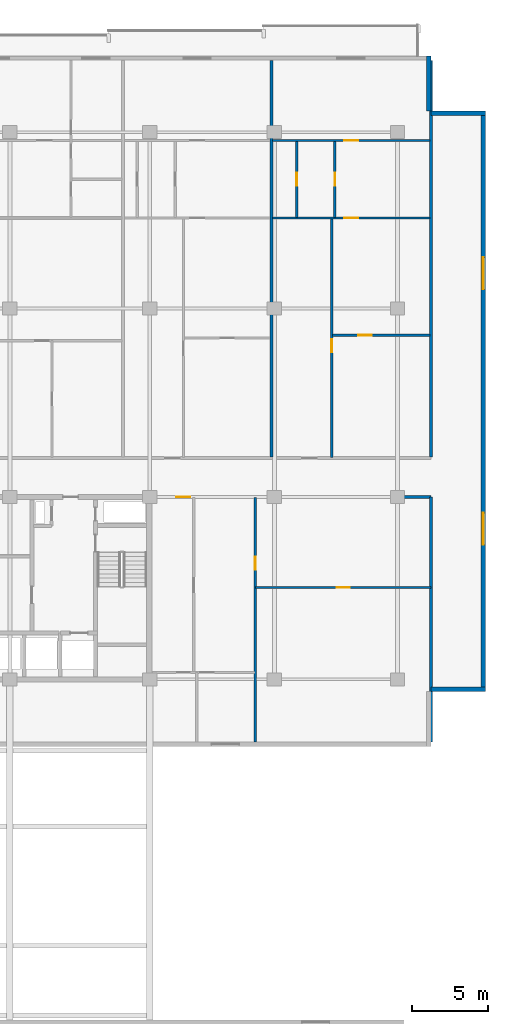
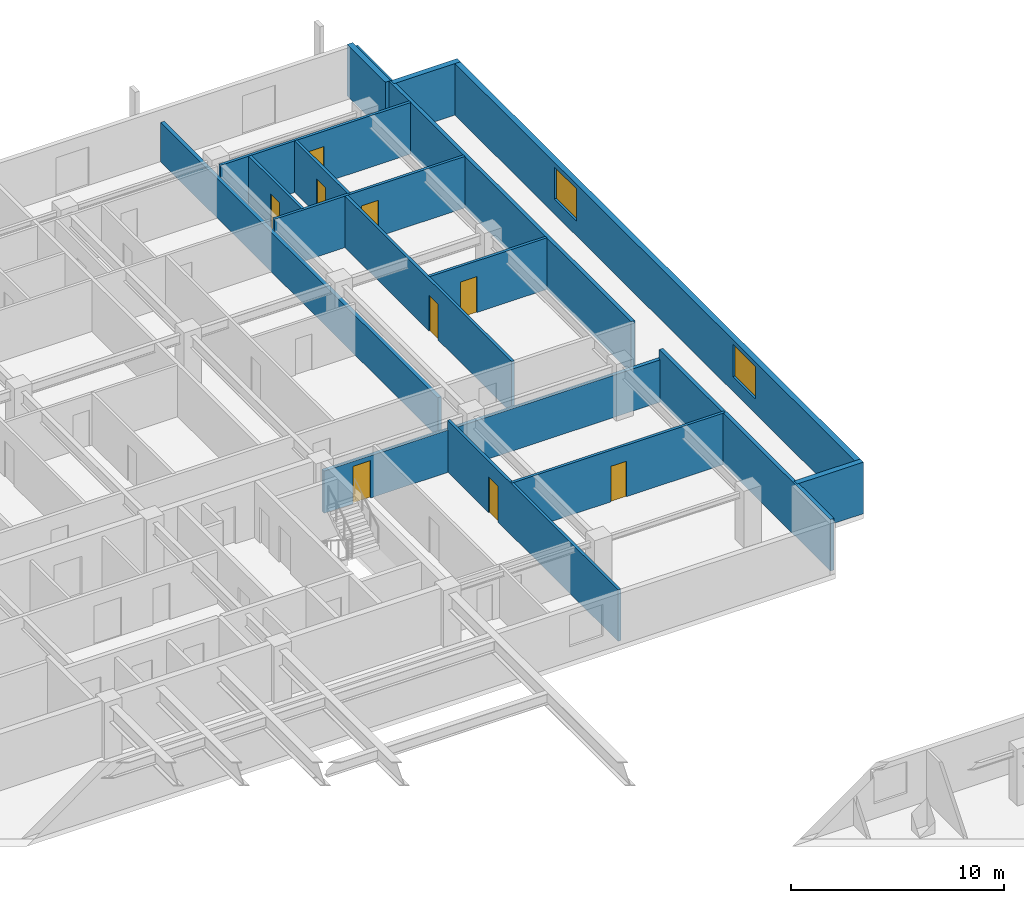
# One storey, part 15 of 21: 16 walls, 9 doors, 2 windows, 11 openings.
"""IFC4 building model written with IfcOpenShell, lengths in metres."""

from ifc_helpers import new_model, si_unit, direction, frame, frame_2d, origin, place, context, subcontext, project, spatial, rectangle, extrude, material, layer, layer_set, type_object, element, fill, save


model = new_model("IFC4")

# Units and contexts
model_context = context("Model", 3, precision=1e-05, world=origin(), true_north=direction((0.0, 1.0)))
body_context = subcontext(model_context, "Body", "Model", "MODEL_VIEW")
ifc_project = project(units=[si_unit("LENGTHUNIT", "METRE"), si_unit("AREAUNIT", "SQUARE_METRE"), si_unit("VOLUMEUNIT", "CUBIC_METRE"), si_unit("PLANEANGLEUNIT", "RADIAN"), si_unit("MASSUNIT", "GRAM", prefix="KILO")], contexts=[model_context])

# Site, building, storey
site_placement = place(None, origin())
site = spatial("IfcSite", under=ifc_project, at=site_placement, CompositionType="ELEMENT")
building_placement = place(site_placement, origin())
building = spatial("IfcBuilding", under=site, at=building_placement, Name="Korimba Cascade Residences", CompositionType="ELEMENT")
storey_placement = place(building_placement, frame((0.0, 0.0, 136.050048828125)))
storey = spatial("IfcBuildingStorey", under=building, at=storey_placement, Name="L39", CompositionType="ELEMENT", Elevation=136.050048828125)

# Wall
ifc_material_1 = material(Name="Precast concrete C40/50", Category="concrete")
ifc_layer_1 = layer(ifc_material_1, 0.300048828125)
ifc_layer_set_1 = layer_set([ifc_layer_1], Name="Precast concrete C40/50")
wall_type_1 = type_object("IfcWallType", Name="EW-STONE-300", PredefinedType="STANDARD", material=ifc_layer_set_1)
wall_1_placement = place(storey_placement, frame((130.60009765625, 54.550048828125, 0.0), z_axis=(0.0, 0.0, 1.0), x_axis=(1.0, 0.0, 0.0)))
element("IfcWall", 1, at=wall_1_placement, inside=storey, type_object=wall_type_1, Name="L39 T1 Perimeter Stone Wall E02", PredefinedType="STANDARD", context=body_context, shape_type="SweptSolid", body=[
    extrude(rectangle(XDim=3.599853515625, YDim=0.300048828125, at=frame_2d((1.7998046875, 0.0))), origin(), (0.0, 0.0, 1.0), 2.9599609375),
])

# Wall, openings, windows
wall_2_placement = place(storey_placement, frame((134.050048828125, 54.39990234375, 0.0), z_axis=(0.0, 0.0, 1.0), x_axis=(0.0, 1.0, 0.0)))
wall_2 = element("IfcWall", 2, at=wall_2_placement, inside=storey, type_object=wall_type_1, Name="L39 T1 Perimeter Stone Wall E03", PredefinedType="STANDARD", context=body_context, shape_type="SweptSolid", body=[
    extrude(rectangle(XDim=38.2001953125, YDim=0.300048828125, at=frame_2d((19.10009765625, 0.0))), origin(), (0.0, 0.0, 1.0), 2.9599609375),
])
opening_1_placement = place(wall_2_placement, frame((9.64599609375, 0.0, 0.85009765625)))
opening_1 = element("IfcOpeningElement", 3, at=opening_1_placement, cuts=wall_2, Name="Opening W-03", PredefinedType="OPENING", context=body_context, shape_type="SweptSolid", body=[
    extrude(rectangle(XDim=2.10009765625, YDim=1.85009765625, at=frame_2d((1.050048828125, 0.925048828125))), frame((0.0, 0.16015625, 0.0), z_axis=(0.0, -1.0, 0.0), x_axis=(1.0, 0.0, 0.0)), (0.0, 0.0, 1.0), 0.320068359375),
])
opening_2_placement = place(wall_2_placement, frame((26.4541015625, 0.0, 0.85009765625)))
opening_2 = element("IfcOpeningElement", 4, at=opening_2_placement, cuts=wall_2, Name="Opening W-03", PredefinedType="OPENING", context=body_context, shape_type="SweptSolid", body=[
    extrude(rectangle(XDim=2.10009765625, YDim=1.85009765625, at=frame_2d((1.050048828125, 0.925048828125))), frame((0.0, 0.16015625, 0.0), z_axis=(0.0, -1.0, 0.0), x_axis=(1.0, 0.0, 0.0)), (0.0, 0.0, 1.0), 0.320068359375),
])
ifc_material_2 = material(Name="Double-Glazed Aluminium Window", Category="aluminium")
window_type = type_object("IfcWindowType", Name="WIN-CRN-2100", PartitioningType="DOUBLE_PANEL_HORIZONTAL", PredefinedType="WINDOW", material=ifc_material_2)
window_1_placement = place(opening_1_placement, origin())
window_1 = element("IfcWindow", 5, at=window_1_placement, inside=storey, type_object=window_type, Name="L39 T1 End View Window 3.1", OverallHeight=1.85009765625, OverallWidth=2.10009765625, PartitioningType="DOUBLE_PANEL_HORIZONTAL", PredefinedType="WINDOW", context=body_context, shape_type="SweptSolid", body=[
    extrude(rectangle(XDim=2.10009765625, YDim=1.85009765625, at=frame_2d((1.050048828125, 0.925048828125))), frame((0.0, 0.030029296875, 0.0), z_axis=(0.0, -1.0, 0.0), x_axis=(1.0, 0.0, 0.0)), (0.0, 0.0, 1.0), 0.06005859375),
])
fill(opening_1, window_1)
window_2_placement = place(opening_2_placement, origin())
window_2 = element("IfcWindow", 6, at=window_2_placement, inside=storey, type_object=window_type, Name="L39 T1 End View Window 3.2", OverallHeight=1.85009765625, OverallWidth=2.10009765625, PartitioningType="DOUBLE_PANEL_HORIZONTAL", PredefinedType="WINDOW", context=body_context, shape_type="SweptSolid", body=[
    extrude(rectangle(XDim=2.10009765625, YDim=1.85009765625, at=frame_2d((1.050048828125, 0.925048828125))), frame((0.0, 0.030029296875, 0.0), z_axis=(0.0, -1.0, 0.0), x_axis=(1.0, 0.0, 0.0)), (0.0, 0.0, 1.0), 0.06005859375),
])
fill(opening_2, window_2)

# Walls
for number, where, z_axis, x_axis, name in (
    (7, (134.199951171875, 92.449951171875, 0.0), (0.0, 0.0, 1.0), (-1.0, 0.0, 0.0), "L39 T1 Perimeter Stone Wall E04"),
    (8, (130.449951171875, 92.60009765625, 0.0), (0.0, 0.0, 1.0), (0.0, 1.0, 0.0), "L39 T1 Perimeter Stone Wall E05"),
):
    element("IfcWall", number, at=place(storey_placement, frame(where, z_axis=z_axis, x_axis=x_axis)), inside=storey, type_object=wall_type_1, Name=name, PredefinedType="STANDARD", context=body_context, shape_type="SweptSolid", body=[
        extrude(rectangle(XDim=3.599853515625, YDim=0.300048828125, at=frame_2d((1.7998046875, 0.0))), origin(), (0.0, 0.0, 1.0), 2.9599609375),
    ])
ifc_layer_2 = layer(ifc_material_1, 0.199951171875)
ifc_layer_set_2 = layer_set([ifc_layer_2], Name="Precast concrete C40/50")
wall_type_2 = type_object("IfcWallType", Name="WAL-IT-200", PredefinedType="PARTITIONING", material=ifc_layer_set_2)
wall_3_placement = place(storey_placement, frame((130.60009765625, 51.10009765625, 0.0), z_axis=(0.0, 0.0, 1.0), x_axis=(0.0, 1.0, 0.0)))
element("IfcWall", 9, at=wall_3_placement, inside=storey, type_object=wall_type_2, Name="L39 Partition Wall WAL-L39-T1-FE-WR", PredefinedType="PARTITIONING", context=body_context, shape_type="SweptSolid", body=[
    extrude(rectangle(XDim=16.099853515625, YDim=0.199951171875, at=frame_2d((8.0498046875, 0.0))), origin(), (0.0, 0.0, 1.0), 2.9599609375),
])

# Wall, opening, door
wall_4_placement = place(storey_placement, frame((112.25, 67.199951171875, 0.0), z_axis=(0.0, 0.0, 1.0), x_axis=(1.0, 0.0, 0.0)))
wall_4 = element("IfcWall", 10, at=wall_4_placement, inside=storey, type_object=wall_type_2, Name="L39 Partition Wall WAL-L39-T1-FE-N", PredefinedType="PARTITIONING", context=body_context, shape_type="SweptSolid", body=[
    extrude(rectangle(XDim=18.35009765625, YDim=0.199951171875, at=frame_2d((9.175048828125, 0.0))), origin(), (0.0, 0.0, 1.0), 2.42333984375),
])
opening_3_placement = place(wall_4_placement, frame((1.580078125, 0.0, 0.0)))
opening_3 = element("IfcOpeningElement", 11, at=opening_3_placement, cuts=wall_4, Name="Opening D-UN1", PredefinedType="OPENING", context=body_context, shape_type="SweptSolid", body=[
    extrude(rectangle(XDim=0.949951171875, YDim=2.14990234375, at=frame_2d((0.47509765625, 1.074951171875))), frame((0.0, 0.10986328125, 0.0), z_axis=(0.0, -1.0, 0.0), x_axis=(1.0, 0.0, 0.0)), (0.0, 0.0, 1.0), 0.219970703125),
])
ifc_material_3 = material(Name="Fire-Rated Hardwood Apartment Entrance Door", Category="wood")
door_type_1 = type_object("IfcDoorType", Name="DR-FD60-950", OperationType="NOTDEFINED", PredefinedType="DOOR", material=ifc_material_3)
door_1_placement = place(opening_3_placement, origin())
door_1 = element("IfcDoor", 12, at=door_1_placement, inside=storey, type_object=door_type_1, Name="L39-T1-FE Entrance Door", OperationType="SINGLE_SWING_LEFT", OverallHeight=2.14990234375, OverallWidth=0.949951171875, PredefinedType="DOOR", context=body_context, shape_type="SweptSolid", body=[
    extrude(rectangle(XDim=0.949951171875, YDim=2.14990234375, at=frame_2d((0.47509765625, 1.074951171875))), frame((0.0, 0.02490234375, 0.0), z_axis=(0.0, -1.0, 0.0), x_axis=(1.0, 0.0, 0.0)), (0.0, 0.0, 1.0), 0.050048828125),
])
fill(opening_3, door_1)

# Walls
wall_5_placement = place(storey_placement, frame((130.60009765625, 69.830078125, 0.0), z_axis=(0.0, 0.0, 1.0), x_axis=(0.0, 1.0, 0.0)))
element("IfcWall", 13, at=wall_5_placement, inside=storey, type_object=wall_type_2, Name="L39 Partition Wall WAL-L39-T1-BNDWR", PredefinedType="PARTITIONING", context=body_context, shape_type="SweptSolid", body=[
    extrude(rectangle(XDim=26.06982421875, YDim=0.199951171875, at=frame_2d((13.034912109375, 0.0))), origin(), (0.0, 0.0, 1.0), 2.9599609375),
])
wall_6_placement = place(storey_placement, frame((120.10009765625, 69.830078125, 0.0), z_axis=(0.0, 0.0, 1.0), x_axis=(0.0, 1.0, 0.0)))
element("IfcWall", 14, at=wall_6_placement, inside=storey, type_object=wall_type_2, Name="L39 Partition Wall WAL-L39-T1-DEM-4", PredefinedType="PARTITIONING", context=body_context, shape_type="SweptSolid", body=[
    extrude(rectangle(XDim=26.06982421875, YDim=0.199951171875, at=frame_2d((13.034912109375, 0.0))), origin(), (0.0, 0.0, 1.0), 2.26708984375),
])

# Wall, opening, door
ifc_material_4 = material(Name="Insulated Acoustic Stud Partition", Category="gypsum")
ifc_layer_3 = layer(ifc_material_4, 0.14990234375)
ifc_layer_set_3 = layer_set([ifc_layer_3], Name="Insulated Acoustic Stud Partition")
wall_type_3 = type_object("IfcWallType", Name="WAL-PART-150", PredefinedType="PARTITIONING", material=ifc_layer_set_3)
wall_7_placement = place(storey_placement, frame((119.050048828125, 61.25, 0.0), z_axis=(0.0, 0.0, 1.0), x_axis=(1.0, 0.0, 0.0)))
wall_7 = element("IfcWall", 15, at=wall_7_placement, inside=storey, type_object=wall_type_3, Name="L39 Partition Wall WAL-L39-T1-FE-STH", PredefinedType="PARTITIONING", context=body_context, shape_type="SweptSolid", body=[
    extrude(rectangle(XDim=11.550048828125, YDim=0.14990234375, at=frame_2d((5.77490234375, 0.0))), origin(), (0.0, 0.0, 1.0), 2.9599609375),
])
opening_4_placement = place(wall_7_placement, frame((5.35498046875, 0.0, 0.0)))
opening_4 = element("IfcOpeningElement", 16, at=opening_4_placement, cuts=wall_7, Name="Opening D-BT1", PredefinedType="OPENING", context=body_context, shape_type="SweptSolid", body=[
    extrude(rectangle(XDim=0.840087890625, YDim=2.0400390625, at=frame_2d((0.419921875, 1.02001953125))), frame((0.0, 0.0849609375, 0.0), z_axis=(0.0, -1.0, 0.0), x_axis=(1.0, 0.0, 0.0)), (0.0, 0.0, 1.0), 0.169921875),
])
ifc_material_5 = material(Name="Moisture-Resistant Bathroom Timber Door", Category="wood")
door_type_2 = type_object("IfcDoorType", Name="DR-INT-850", OperationType="NOTDEFINED", PredefinedType="DOOR", material=ifc_material_5)
door_2_placement = place(opening_4_placement, origin())
door_2 = element("IfcDoor", 17, at=door_2_placement, inside=storey, type_object=door_type_2, Name="L39-T1-FE Dressing Store Door", OperationType="SINGLE_SWING_RIGHT", OverallHeight=2.0400390625, OverallWidth=0.840087890625, PredefinedType="DOOR", context=body_context, shape_type="SweptSolid", body=[
    extrude(rectangle(XDim=0.840087890625, YDim=2.0400390625, at=frame_2d((0.419921875, 1.02001953125))), frame((0.0, 0.02490234375, 0.0), z_axis=(0.0, -1.0, 0.0), x_axis=(1.0, 0.0, 0.0)), (0.0, 0.0, 1.0), 0.050048828125),
])
fill(opening_4, door_2)

wall_8_placement = place(storey_placement, frame((119.050048828125, 51.10009765625, 0.0), z_axis=(0.0, 0.0, 1.0), x_axis=(0.0, 1.0, 0.0)))
wall_8 = element("IfcWall", 18, at=wall_8_placement, inside=storey, type_object=wall_type_3, Name="L39 Partition Wall WAL-L39-T1-FE-STV", PredefinedType="PARTITIONING", context=body_context, shape_type="SweptSolid", body=[
    extrude(rectangle(XDim=16.0498046875, YDim=0.14990234375, at=frame_2d((8.02490234375, 0.0))), origin(), (0.0, 0.0, 1.0), 2.9599609375),
])
opening_5_placement = place(wall_8_placement, frame((11.300048828125, 0.0, 0.0)))
opening_5 = element("IfcOpeningElement", 19, at=opening_5_placement, cuts=wall_8, Name="Opening D-IN2", PredefinedType="OPENING", context=body_context, shape_type="SweptSolid", body=[
    extrude(rectangle(XDim=0.8798828125, YDim=2.06005859375, at=frame_2d((0.43994140625, 1.030029296875))), frame((0.0, 0.0849609375, 0.0), z_axis=(0.0, -1.0, 0.0), x_axis=(1.0, 0.0, 0.0)), (0.0, 0.0, 1.0), 0.169921875),
])
ifc_material_6 = material(Name="Acoustic Timber Bedroom Door", Category="wood")
door_type_3 = type_object("IfcDoorType", Name="DR-INT-880", OperationType="NOTDEFINED", PredefinedType="DOOR", material=ifc_material_6)
door_3_placement = place(opening_5_placement, origin())
door_3 = element("IfcDoor", 20, at=door_3_placement, inside=storey, type_object=door_type_3, Name="L39-T1-FE Study Door", OperationType="SINGLE_SWING_LEFT", OverallHeight=2.06005859375, OverallWidth=0.8798828125, PredefinedType="DOOR", context=body_context, shape_type="SweptSolid", body=[
    extrude(rectangle(XDim=0.8798828125, YDim=2.06005859375, at=frame_2d((0.43994140625, 1.030029296875))), frame((0.0, 0.02490234375, 0.0), z_axis=(0.0, -1.0, 0.0), x_axis=(1.0, 0.0, 0.0)), (0.0, 0.0, 1.0), 0.050048828125),
])
fill(opening_5, door_3)

wall_9_placement = place(storey_placement, frame((124.1298828125, 77.840087890625, 0.0), z_axis=(0.0, 0.0, 1.0), x_axis=(1.0, 0.0, 0.0)))
wall_9 = element("IfcWall", 21, at=wall_9_placement, inside=storey, type_object=wall_type_3, Name="L39 Partition Wall WAL-L39-T1-U05-FMH", PredefinedType="PARTITIONING", context=body_context, shape_type="SweptSolid", body=[
    extrude(rectangle(XDim=6.39013671875, YDim=0.14990234375, at=frame_2d((3.195068359375, 0.0))), origin(), (0.0, 0.0, 1.0), 2.9599609375),
])
opening_6_placement = place(wall_9_placement, frame((1.69677734375, 0.0, 0.0)))
opening_6 = element("IfcOpeningElement", 22, at=opening_6_placement, cuts=wall_9, Name="Opening D-IN2", PredefinedType="OPENING", context=body_context, shape_type="SweptSolid", body=[
    extrude(rectangle(XDim=0.8798828125, YDim=2.06005859375, at=frame_2d((0.43994140625, 1.030029296875))), frame((0.0, 0.0849609375, 0.0), z_axis=(0.0, -1.0, 0.0), x_axis=(1.0, 0.0, 0.0)), (0.0, 0.0, 1.0), 0.169921875),
])
door_4_placement = place(opening_6_placement, origin())
door_4 = element("IfcDoor", 23, at=door_4_placement, inside=storey, type_object=door_type_3, Name="L39-T1-U05 Library Salon Door", OperationType="SINGLE_SWING_LEFT", OverallHeight=2.06005859375, OverallWidth=0.8798828125, PredefinedType="DOOR", context=body_context, shape_type="SweptSolid", body=[
    extrude(rectangle(XDim=0.8798828125, YDim=2.06005859375, at=frame_2d((0.43994140625, 1.030029296875))), frame((0.0, 0.02490234375, 0.0), z_axis=(0.0, -1.0, 0.0), x_axis=(1.0, 0.0, 0.0)), (0.0, 0.0, 1.0), 0.050048828125),
])
fill(opening_6, door_4)

wall_10_placement = place(storey_placement, frame((124.070068359375, 69.81005859375, 0.0), z_axis=(0.0, 0.0, 1.0), x_axis=(0.0, 1.0, 0.0)))
wall_10 = element("IfcWall", 24, at=wall_10_placement, inside=storey, type_object=wall_type_3, Name="L39 Partition Wall WAL-L39-T1-U05-FV", PredefinedType="PARTITIONING", context=body_context, shape_type="SweptSolid", body=[
    extrude(rectangle(XDim=15.699951171875, YDim=0.14990234375, at=frame_2d((7.85009765625, 0.0))), origin(), (0.0, 0.0, 1.0), 2.9599609375),
])
opening_7_placement = place(wall_10_placement, frame((6.89990234375, 0.0, 0.0)))
opening_7 = element("IfcOpeningElement", 25, at=opening_7_placement, cuts=wall_10, Name="Opening D-IN2", PredefinedType="OPENING", context=body_context, shape_type="SweptSolid", body=[
    extrude(rectangle(XDim=0.8798828125, YDim=2.06005859375, at=frame_2d((0.43994140625, 1.030029296875))), frame((0.0, 0.0849609375, 0.0), z_axis=(0.0, -1.0, 0.0), x_axis=(1.0, 0.0, 0.0)), (0.0, 0.0, 1.0), 0.169921875),
])
door_5_placement = place(opening_7_placement, origin())
door_5 = element("IfcDoor", 26, at=door_5_placement, inside=storey, type_object=door_type_3, Name="L39-T1-U05 Media Lounge Door", OperationType="SINGLE_SWING_RIGHT", OverallHeight=2.06005859375, OverallWidth=0.8798828125, PredefinedType="DOOR", context=body_context, shape_type="SweptSolid", body=[
    extrude(rectangle(XDim=0.8798828125, YDim=2.06005859375, at=frame_2d((0.43994140625, 1.030029296875))), frame((0.0, 0.02490234375, 0.0), z_axis=(0.0, -1.0, 0.0), x_axis=(1.0, 0.0, 0.0)), (0.0, 0.0, 1.0), 0.050048828125),
])
fill(opening_7, door_5)

wall_11_placement = place(storey_placement, frame((121.780029296875, 85.590087890625, 0.0), z_axis=(0.0, 0.0, 1.0), x_axis=(0.0, 1.0, 0.0)))
wall_11 = element("IfcWall", 27, at=wall_11_placement, inside=storey, type_object=wall_type_3, Name="L39 Partition Wall WAL-L39-T1-U05-CLS", PredefinedType="PARTITIONING", context=body_context, shape_type="SweptSolid", body=[
    extrude(rectangle(XDim=5.0, YDim=0.14990234375, at=frame_2d((2.5, 0.0))), origin(), (0.0, 0.0, 1.0), 2.9599609375),
])
opening_8_placement = place(wall_11_placement, frame((2.080078125, 0.0, 0.0)))
opening_8 = element("IfcOpeningElement", 28, at=opening_8_placement, cuts=wall_11, Name="Opening D-BT1", PredefinedType="OPENING", context=body_context, shape_type="SweptSolid", body=[
    extrude(rectangle(XDim=0.840087890625, YDim=2.0400390625, at=frame_2d((0.419921875, 1.02001953125))), frame((0.0, 0.0849609375, 0.0), z_axis=(0.0, -1.0, 0.0), x_axis=(1.0, 0.0, 0.0)), (0.0, 0.0, 1.0), 0.169921875),
])
door_6_placement = place(opening_8_placement, origin())
door_6 = element("IfcDoor", 29, at=door_6_placement, inside=storey, type_object=door_type_2, Name="L39-T1-U05 Closet Door", OperationType="SINGLE_SWING_LEFT", OverallHeight=2.0400390625, OverallWidth=0.840087890625, PredefinedType="DOOR", context=body_context, shape_type="SweptSolid", body=[
    extrude(rectangle(XDim=0.840087890625, YDim=2.0400390625, at=frame_2d((0.419921875, 1.02001953125))), frame((0.0, 0.02490234375, 0.0), z_axis=(0.0, -1.0, 0.0), x_axis=(1.0, 0.0, 0.0)), (0.0, 0.0, 1.0), 0.050048828125),
])
fill(opening_8, door_6)

wall_12_placement = place(storey_placement, frame((124.280029296875, 85.590087890625, 0.0), z_axis=(0.0, 0.0, 1.0), x_axis=(0.0, 1.0, 0.0)))
wall_12 = element("IfcWall", 30, at=wall_12_placement, inside=storey, type_object=wall_type_3, Name="L39 Partition Wall WAL-L39-T1-U05-BM", PredefinedType="PARTITIONING", context=body_context, shape_type="SweptSolid", body=[
    extrude(rectangle(XDim=5.0, YDim=0.14990234375, at=frame_2d((2.5, 0.0))), origin(), (0.0, 0.0, 1.0), 2.9599609375),
])
opening_9_placement = place(wall_12_placement, frame((2.080078125, 0.0, 0.0)))
opening_9 = element("IfcOpeningElement", 31, at=opening_9_placement, cuts=wall_12, Name="Opening D-BT1", PredefinedType="OPENING", context=body_context, shape_type="SweptSolid", body=[
    extrude(rectangle(XDim=0.840087890625, YDim=2.0400390625, at=frame_2d((0.419921875, 1.02001953125))), frame((0.0, 0.0849609375, 0.0), z_axis=(0.0, -1.0, 0.0), x_axis=(1.0, 0.0, 0.0)), (0.0, 0.0, 1.0), 0.169921875),
])
door_7_placement = place(opening_9_placement, origin())
door_7 = element("IfcDoor", 32, at=door_7_placement, inside=storey, type_object=door_type_2, Name="L39-T1-U05 Bathroom Door", OperationType="SINGLE_SWING_RIGHT", OverallHeight=2.0400390625, OverallWidth=0.840087890625, PredefinedType="DOOR", context=body_context, shape_type="SweptSolid", body=[
    extrude(rectangle(XDim=0.840087890625, YDim=2.0400390625, at=frame_2d((0.419921875, 1.02001953125))), frame((0.0, 0.02490234375, 0.0), z_axis=(0.0, -1.0, 0.0), x_axis=(1.0, 0.0, 0.0)), (0.0, 0.0, 1.0), 0.050048828125),
])
fill(opening_9, door_7)

wall_13_placement = place(storey_placement, frame((120.179931640625, 85.550048828125, 0.0), z_axis=(0.0, 0.0, 1.0), x_axis=(1.0, 0.0, 0.0)))
wall_13 = element("IfcWall", 33, at=wall_13_placement, inside=storey, type_object=wall_type_3, Name="L39 Partition Wall WAL-L39-T1-U05-MW", PredefinedType="PARTITIONING", context=body_context, shape_type="SweptSolid", body=[
    extrude(rectangle(XDim=10.340087890625, YDim=0.14990234375, at=frame_2d((5.169921875, 0.0))), origin(), (0.0, 0.0, 1.0), 2.9599609375),
])
opening_10_placement = place(wall_13_placement, frame((4.7099609375, 0.0, 0.0)))
opening_10 = element("IfcOpeningElement", 34, at=opening_10_placement, cuts=wall_13, Name="Opening D-IN1", PredefinedType="OPENING", context=body_context, shape_type="SweptSolid", body=[
    extrude(rectangle(XDim=0.919921875, YDim=2.080078125, at=frame_2d((0.4599609375, 1.0400390625))), frame((0.0, 0.0849609375, 0.0), z_axis=(0.0, -1.0, 0.0), x_axis=(1.0, 0.0, 0.0)), (0.0, 0.0, 1.0), 0.169921875),
])
ifc_material_7 = material(Name="Acoustic Timber Living Door", Category="wood")
door_type_4 = type_object("IfcDoorType", Name="DR-INT-920", OperationType="NOTDEFINED", PredefinedType="DOOR", material=ifc_material_7)
door_8_placement = place(opening_10_placement, origin())
door_8 = element("IfcDoor", 35, at=door_8_placement, inside=storey, type_object=door_type_4, Name="L39-T1-U05 Studio Kitchen Door", OperationType="SINGLE_SWING_LEFT", OverallHeight=2.080078125, OverallWidth=0.919921875, PredefinedType="DOOR", context=body_context, shape_type="SweptSolid", body=[
    extrude(rectangle(XDim=0.919921875, YDim=2.080078125, at=frame_2d((0.4599609375, 1.0400390625))), frame((0.0, 0.02490234375, 0.0), z_axis=(0.0, -1.0, 0.0), x_axis=(1.0, 0.0, 0.0)), (0.0, 0.0, 1.0), 0.050048828125),
])
fill(opening_10, door_8)

wall_14_placement = place(storey_placement, frame((120.179931640625, 90.64990234375, 0.0), z_axis=(0.0, 0.0, 1.0), x_axis=(1.0, 0.0, 0.0)))
wall_14 = element("IfcWall", 36, at=wall_14_placement, inside=storey, type_object=wall_type_3, Name="L39 Partition Wall WAL-L39-T1-U05-HZ", PredefinedType="PARTITIONING", context=body_context, shape_type="SweptSolid", body=[
    extrude(rectangle(XDim=10.340087890625, YDim=0.14990234375, at=frame_2d((5.169921875, 0.0))), origin(), (0.0, 0.0, 1.0), 2.9599609375),
])
opening_11_placement = place(wall_14_placement, frame((4.7099609375, 0.0, 0.0)))
opening_11 = element("IfcOpeningElement", 37, at=opening_11_placement, cuts=wall_14, Name="Opening D-IN1", PredefinedType="OPENING", context=body_context, shape_type="SweptSolid", body=[
    extrude(rectangle(XDim=0.919921875, YDim=2.080078125, at=frame_2d((0.4599609375, 1.0400390625))), frame((0.0, 0.0849609375, 0.0), z_axis=(0.0, -1.0, 0.0), x_axis=(1.0, 0.0, 0.0)), (0.0, 0.0, 1.0), 0.169921875),
])
door_9_placement = place(opening_11_placement, origin())
door_9 = element("IfcDoor", 38, at=door_9_placement, inside=storey, type_object=door_type_4, Name="L39-T1-U05 Studio Door", OperationType="SINGLE_SWING_RIGHT", OverallHeight=2.080078125, OverallWidth=0.919921875, PredefinedType="DOOR", context=body_context, shape_type="SweptSolid", body=[
    extrude(rectangle(XDim=0.919921875, YDim=2.080078125, at=frame_2d((0.4599609375, 1.0400390625))), frame((0.0, 0.02490234375, 0.0), z_axis=(0.0, -1.0, 0.0), x_axis=(1.0, 0.0, 0.0)), (0.0, 0.0, 1.0), 0.050048828125),
])
fill(opening_11, door_9)

save(model, "model.ifc")
